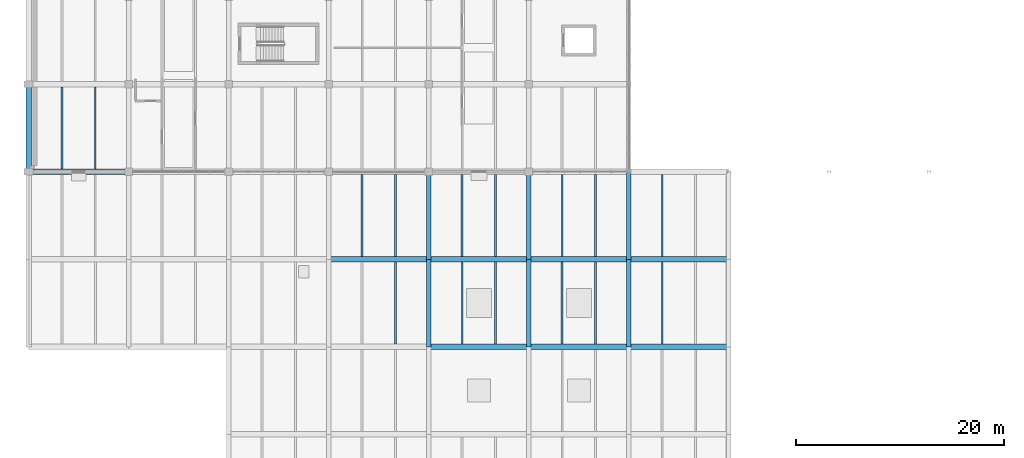
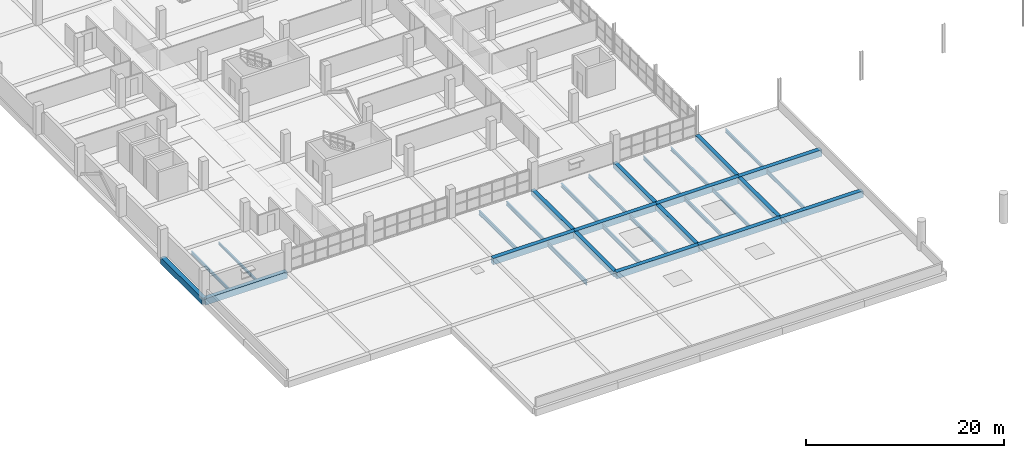
# One storey, part 21 of 147: 30 beams.
"""IFC4 building model written with IfcOpenShell, lengths in metres."""

from ifc_helpers import new_model, si_unit, direction, frame, origin, origin_2d, place, context, subcontext, project, spatial, rectangle, i_section, extrude, material, material_profile, profile_set, type_object, element, save


model = new_model("IFC4")

# Units and contexts
model_context = context("Model", 3, precision=1e-05, world=origin(), true_north=direction((0.0, 1.0)))
body_context = subcontext(model_context, "Body", "Model", "MODEL_VIEW")
ifc_project = project(units=[si_unit("LENGTHUNIT", "METRE"), si_unit("AREAUNIT", "SQUARE_METRE"), si_unit("VOLUMEUNIT", "CUBIC_METRE"), si_unit("PLANEANGLEUNIT", "RADIAN"), si_unit("MASSUNIT", "GRAM", prefix="KILO")], contexts=[model_context])

# Site, building, storey
site_placement = place(None, origin())
site = spatial("IfcSite", under=ifc_project, at=site_placement, CompositionType="ELEMENT")
building_placement = place(site_placement, origin())
building = spatial("IfcBuilding", under=site, at=building_placement, Name="Oolite Switchyard Hospital", CompositionType="ELEMENT")
storey_placement = place(building_placement, frame((0.0, 0.0, 9.89990234375)))
storey = spatial("IfcBuildingStorey", under=building, at=storey_placement, Name="L02", CompositionType="ELEMENT", Elevation=9.89990234375)

# Beams
ifc_material_1 = material(Name="Concrete C40/50", Category="concrete")
ifc_material_profile_1 = material_profile(ifc_material_1, rectangle(XDim=0.449951171875, YDim=0.64990234375, at=origin_2d()), Name="RCB450X650")
ifc_profile_set_1 = profile_set([ifc_material_profile_1], Name="Concrete C40/50")
beam_type_1 = type_object("IfcBeamType", Name="BM-RC450X650", PredefinedType="BEAM", material=ifc_profile_set_1)
beam_1_placement = place(storey_placement, frame((38.39990234375, 16.800048828125, -0.324951171875), z_axis=(0.0, 1.0, 0.0), x_axis=(-1.0, 0.0, 0.0)))
element("IfcBeam", 1, at=beam_1_placement, inside=storey, type_object=beam_type_1, Name="L02 Y-Girder 1310", PredefinedType="BEAM", context=body_context, shape_type="SweptSolid", body=[
    extrude(rectangle(XDim=0.449951171875, YDim=0.64990234375, at=origin_2d()), origin(), (0.0, 0.0, 1.0), 8.39990234375),
])
beam_2_placement = place(storey_placement, frame((38.39990234375, 25.199951171875, -0.324951171875), z_axis=(0.0, 1.0, 0.0), x_axis=(-1.0, 0.0, 0.0)))
element("IfcBeam", 2, at=beam_2_placement, inside=storey, type_object=beam_type_1, Name="L02 Y-Girder 1311", PredefinedType="BEAM", context=body_context, shape_type="SweptSolid", body=[
    extrude(rectangle(XDim=0.449951171875, YDim=0.64990234375, at=origin_2d()), origin(), (0.0, 0.0, 1.0), 8.400146484375),
])
beam_3_placement = place(storey_placement, frame((48.0, 16.800048828125, -0.324951171875), z_axis=(0.0, 1.0, 0.0), x_axis=(-1.0, 0.0, 0.0)))
element("IfcBeam", 3, at=beam_3_placement, inside=storey, type_object=beam_type_1, Name="L02 Y-Girder 1326", PredefinedType="BEAM", context=body_context, shape_type="SweptSolid", body=[
    extrude(rectangle(XDim=0.449951171875, YDim=0.64990234375, at=origin_2d()), origin(), (0.0, 0.0, 1.0), 8.39990234375),
])
beam_4_placement = place(storey_placement, frame((48.0, 25.199951171875, -0.324951171875), z_axis=(0.0, 1.0, 0.0), x_axis=(-1.0, 0.0, 0.0)))
element("IfcBeam", 4, at=beam_4_placement, inside=storey, type_object=beam_type_1, Name="L02 Y-Girder 1327", PredefinedType="BEAM", context=body_context, shape_type="SweptSolid", body=[
    extrude(rectangle(XDim=0.449951171875, YDim=0.64990234375, at=origin_2d()), origin(), (0.0, 0.0, 1.0), 8.400146484375),
])
beam_5_placement = place(storey_placement, frame((57.60009765625, 16.800048828125, -0.324951171875), z_axis=(0.0, 1.0, 0.0), x_axis=(-1.0, 0.0, 0.0)))
element("IfcBeam", 5, at=beam_5_placement, inside=storey, type_object=beam_type_1, Name="L02 Y-Girder 1342", PredefinedType="BEAM", context=body_context, shape_type="SweptSolid", body=[
    extrude(rectangle(XDim=0.449951171875, YDim=0.64990234375, at=origin_2d()), origin(), (0.0, 0.0, 1.0), 8.39990234375),
])
beam_6_placement = place(storey_placement, frame((57.60009765625, 25.199951171875, -0.324951171875), z_axis=(0.0, 1.0, 0.0), x_axis=(-1.0, 0.0, 0.0)))
element("IfcBeam", 6, at=beam_6_placement, inside=storey, type_object=beam_type_1, Name="L02 Y-Girder 1343", PredefinedType="BEAM", context=body_context, shape_type="SweptSolid", body=[
    extrude(rectangle(XDim=0.449951171875, YDim=0.64990234375, at=origin_2d()), origin(), (0.0, 0.0, 1.0), 8.400146484375),
])
ifc_material_profile_2 = material_profile(ifc_material_1, rectangle(XDim=0.5, YDim=0.800048828125, at=origin_2d()), Name="RCB500X800")
ifc_profile_set_2 = profile_set([ifc_material_profile_2], Name="Concrete C40/50")
beam_type_2 = type_object("IfcBeamType", Name="BM-RC500X800", PredefinedType="BEAM", material=ifc_profile_set_2)
for number, where, z_axis, x_axis, name in (
    (7, (38.39990234375, 16.800048828125, -0.39990234375), (1.0, 0.0, 0.0), (0.0, 1.0, 0.0), "L02 X-Girder 1008"),
    (8, (48.0, 16.800048828125, -0.39990234375), (1.0, 0.0, 0.0), (0.0, 1.0, 0.0), "L02 X-Girder 1009"),
):
    element("IfcBeam", number, at=place(storey_placement, frame(where, z_axis=z_axis, x_axis=x_axis)), inside=storey, type_object=beam_type_2, Name=name, PredefinedType="BEAM", context=body_context, shape_type="SweptSolid", body=[
        extrude(rectangle(XDim=0.5, YDim=0.800048828125, at=origin_2d()), origin(), (0.0, 0.0, 1.0), 9.60009765625),
    ])
for number, where, z_axis, x_axis, name in (
    (9, (57.60009765625, 16.800048828125, -0.39990234375), (1.0, 0.0, 0.0), (0.0, 1.0, 0.0), "L02 X-Girder 1010"),
    (10, (28.800048828125, 25.199951171875, -0.39990234375), (1.0, 0.0, 0.0), (0.0, 1.0, 0.0), "L02 X-Girder 1022"),
):
    element("IfcBeam", number, at=place(storey_placement, frame(where, z_axis=z_axis, x_axis=x_axis)), inside=storey, type_object=beam_type_2, Name=name, PredefinedType="BEAM", context=body_context, shape_type="SweptSolid", body=[
        extrude(rectangle(XDim=0.5, YDim=0.800048828125, at=origin_2d()), origin(), (0.0, 0.0, 1.0), 9.599853515625),
    ])
for number, where, z_axis, x_axis, name in (
    (11, (38.39990234375, 25.199951171875, -0.39990234375), (1.0, 0.0, 0.0), (0.0, 1.0, 0.0), "L02 X-Girder 1023"),
    (12, (48.0, 25.199951171875, -0.39990234375), (1.0, 0.0, 0.0), (0.0, 1.0, 0.0), "L02 X-Girder 1024"),
):
    element("IfcBeam", number, at=place(storey_placement, frame(where, z_axis=z_axis, x_axis=x_axis)), inside=storey, type_object=beam_type_2, Name=name, PredefinedType="BEAM", context=body_context, shape_type="SweptSolid", body=[
        extrude(rectangle(XDim=0.5, YDim=0.800048828125, at=origin_2d()), origin(), (0.0, 0.0, 1.0), 9.60009765625),
    ])
beam_7_placement = place(storey_placement, frame((57.60009765625, 25.199951171875, -0.39990234375), z_axis=(1.0, 0.0, 0.0), x_axis=(0.0, 1.0, 0.0)))
element("IfcBeam", 13, at=beam_7_placement, inside=storey, type_object=beam_type_2, Name="L02 X-Girder 1025", PredefinedType="BEAM", context=body_context, shape_type="SweptSolid", body=[
    extrude(rectangle(XDim=0.5, YDim=0.800048828125, at=origin_2d()), origin(), (0.0, 0.0, 1.0), 9.599853515625),
])
beam_8_placement = place(storey_placement, frame((0.0, 33.60009765625, -0.39990234375), z_axis=(1.0, 0.0, 0.0), x_axis=(0.0, 1.0, 0.0)))
element("IfcBeam", 14, at=beam_8_placement, inside=storey, type_object=beam_type_2, Name="L02 X-Girder 1034", PredefinedType="BEAM", context=body_context, shape_type="SweptSolid", body=[
    extrude(rectangle(XDim=0.5, YDim=0.800048828125, at=origin_2d()), origin(), (0.0, 0.0, 1.0), 9.60009765625),
])
beam_9_placement = place(storey_placement, frame((0.0, 33.60009765625, -0.39990234375), z_axis=(0.0, 1.0, 0.0), x_axis=(-1.0, 0.0, 0.0)))
element("IfcBeam", 15, at=beam_9_placement, inside=storey, type_object=beam_type_2, Name="L02 Y-Girder 1252", PredefinedType="BEAM", context=body_context, shape_type="SweptSolid", body=[
    extrude(rectangle(XDim=0.5, YDim=0.800048828125, at=origin_2d()), origin(), (0.0, 0.0, 1.0), 8.39990234375),
])
ifc_material_2 = material(Name="Steel ASTM A992 Grade 50", Category="steel")
ifc_material_profile_3 = material_profile(ifc_material_2, i_section(OverallWidth=0.1650390625, OverallDepth=0.31005859375, WebThickness=0.006103515625, FlangeThickness=0.010009765625, at=origin_2d()), Name="W12X26")
ifc_profile_set_3 = profile_set([ifc_material_profile_3], Name="Steel ASTM A992 Grade 50")
beam_type_3 = type_object("IfcBeamType", Name="BM-W12X26", PredefinedType="JOIST", material=ifc_profile_set_3)
beam_10_placement = place(storey_placement, frame((6.39990234375, 33.85009765625, -0.414794921875), z_axis=(0.0, 1.0, 0.0), x_axis=(-1.0, 0.0, 0.0)))
element("IfcBeam", 16, at=beam_10_placement, inside=storey, type_object=beam_type_3, Name="L02 Secondary Steel Joist 1517", PredefinedType="JOIST", context=body_context, shape_type="SweptSolid", body=[
    extrude(i_section(OverallWidth=0.1650390625, OverallDepth=0.31005859375, WebThickness=0.006103515625, FlangeThickness=0.010009765625, at=origin_2d()), origin(), (0.0, 0.0, 1.0), 7.89990234375),
])
ifc_material_profile_4 = material_profile(ifc_material_2, i_section(OverallWidth=0.1708984375, OverallDepth=0.35107421875, WebThickness=0.007080078125, FlangeThickness=0.010009765625, at=origin_2d()), Name="W14X30")
ifc_profile_set_4 = profile_set([ifc_material_profile_4], Name="Steel ASTM A992 Grade 50")
beam_type_4 = type_object("IfcBeamType", Name="BM-W14X30", PredefinedType="JOIST", material=ifc_profile_set_4)
beam_11_placement = place(storey_placement, frame((3.199951171875, 33.85009765625, -0.434814453125), z_axis=(0.0, 1.0, 0.0), x_axis=(-1.0, 0.0, 0.0)))
element("IfcBeam", 17, at=beam_11_placement, inside=storey, type_object=beam_type_4, Name="L02 Secondary Steel Joist 1516", PredefinedType="JOIST", context=body_context, shape_type="SweptSolid", body=[
    extrude(i_section(OverallWidth=0.1708984375, OverallDepth=0.35107421875, WebThickness=0.007080078125, FlangeThickness=0.010009765625, at=origin_2d()), origin(), (0.0, 0.0, 1.0), 7.89990234375),
])
ifc_material_profile_5 = material_profile(ifc_material_2, i_section(OverallWidth=0.179931640625, OverallDepth=0.4130859375, WebThickness=0.010009765625, FlangeThickness=0.01611328125, at=origin_2d()), Name="W16X50")
ifc_profile_set_5 = profile_set([ifc_material_profile_5], Name="Steel ASTM A992 Grade 50")
beam_type_5 = type_object("IfcBeamType", Name="BM-W16X50", PredefinedType="JOIST", material=ifc_profile_set_5)
for number, where, z_axis, x_axis, name in (
    (18, (54.39990234375, 25.449951171875, -0.42578125), (0.0, 1.0, 0.0), (-1.0, 0.0, 0.0), "L02 Secondary Steel Joist 1659"),
    (19, (60.800048828125, 25.449951171875, -0.42578125), (0.0, 1.0, 0.0), (-1.0, 0.0, 0.0), "L02 Secondary Steel Joist 1686"),
):
    element("IfcBeam", number, at=place(storey_placement, frame(where, z_axis=z_axis, x_axis=x_axis)), inside=storey, type_object=beam_type_5, Name=name, PredefinedType="JOIST", context=body_context, shape_type="SweptSolid", body=[
        extrude(i_section(OverallWidth=0.179931640625, OverallDepth=0.4130859375, WebThickness=0.010009765625, FlangeThickness=0.01611328125, at=origin_2d()), origin(), (0.0, 0.0, 1.0), 7.900146484375),
    ])
ifc_material_profile_6 = material_profile(ifc_material_2, i_section(OverallWidth=0.153076171875, OverallDepth=0.455078125, WebThickness=0.008056640625, FlangeThickness=0.012939453125, at=origin_2d()), Name="W18X40")
ifc_profile_set_6 = profile_set([ifc_material_profile_6], Name="Steel ASTM A992 Grade 50")
beam_type_6 = type_object("IfcBeamType", Name="BM-W18X40", PredefinedType="JOIST", material=ifc_profile_set_6)
beam_12_placement = place(storey_placement, frame((44.800048828125, 25.449951171875, -0.447998046875), z_axis=(0.0, 1.0, 0.0), x_axis=(-1.0, 0.0, 0.0)))
element("IfcBeam", 20, at=beam_12_placement, inside=storey, type_object=beam_type_6, Name="L02 Secondary Steel Joist 1629", PredefinedType="JOIST", context=body_context, shape_type="SweptSolid", body=[
    extrude(i_section(OverallWidth=0.153076171875, OverallDepth=0.455078125, WebThickness=0.008056640625, FlangeThickness=0.012939453125, at=origin_2d()), origin(), (0.0, 0.0, 1.0), 7.900146484375),
])
beam_13_placement = place(storey_placement, frame((54.39990234375, 17.050048828125, -0.447998046875), z_axis=(0.0, 1.0, 0.0), x_axis=(-1.0, 0.0, 0.0)))
element("IfcBeam", 21, at=beam_13_placement, inside=storey, type_object=beam_type_6, Name="L02 Secondary Steel Joist 1657", PredefinedType="JOIST", context=body_context, shape_type="SweptSolid", body=[
    extrude(i_section(OverallWidth=0.153076171875, OverallDepth=0.455078125, WebThickness=0.008056640625, FlangeThickness=0.012939453125, at=origin_2d()), origin(), (0.0, 0.0, 1.0), 7.89990234375),
])
beam_14_placement = place(storey_placement, frame((51.199951171875, 25.449951171875, -0.447998046875), z_axis=(0.0, 1.0, 0.0), x_axis=(-1.0, 0.0, 0.0)))
element("IfcBeam", 22, at=beam_14_placement, inside=storey, type_object=beam_type_6, Name="L02 Secondary Steel Joist 1658", PredefinedType="JOIST", context=body_context, shape_type="SweptSolid", body=[
    extrude(i_section(OverallWidth=0.153076171875, OverallDepth=0.455078125, WebThickness=0.008056640625, FlangeThickness=0.012939453125, at=origin_2d()), origin(), (0.0, 0.0, 1.0), 7.900146484375),
])
beam_15_placement = place(storey_placement, frame((60.800048828125, 17.050048828125, -0.447998046875), z_axis=(0.0, 1.0, 0.0), x_axis=(-1.0, 0.0, 0.0)))
element("IfcBeam", 23, at=beam_15_placement, inside=storey, type_object=beam_type_6, Name="L02 Secondary Steel Joist 1684", PredefinedType="JOIST", context=body_context, shape_type="SweptSolid", body=[
    extrude(i_section(OverallWidth=0.153076171875, OverallDepth=0.455078125, WebThickness=0.008056640625, FlangeThickness=0.012939453125, at=origin_2d()), origin(), (0.0, 0.0, 1.0), 7.89990234375),
])
ifc_material_profile_7 = material_profile(ifc_material_2, i_section(OverallWidth=0.19091796875, OverallDepth=0.4599609375, WebThickness=0.010009765625, FlangeThickness=0.01611328125, at=origin_2d()), Name="W18X55")
ifc_profile_set_7 = profile_set([ifc_material_profile_7], Name="Steel ASTM A992 Grade 50")
beam_type_7 = type_object("IfcBeamType", Name="BM-W18X55", PredefinedType="JOIST", material=ifc_profile_set_7)
beam_16_placement = place(storey_placement, frame((35.199951171875, 25.449951171875, -0.449951171875), z_axis=(0.0, 1.0, 0.0), x_axis=(-1.0, 0.0, 0.0)))
element("IfcBeam", 24, at=beam_16_placement, inside=storey, type_object=beam_type_7, Name="L02 Secondary Steel Joist 1599", PredefinedType="JOIST", context=body_context, shape_type="SweptSolid", body=[
    extrude(i_section(OverallWidth=0.19091796875, OverallDepth=0.4599609375, WebThickness=0.010009765625, FlangeThickness=0.01611328125, at=origin_2d()), origin(), (0.0, 0.0, 1.0), 7.900146484375),
])
beam_17_placement = place(storey_placement, frame((44.800048828125, 17.050048828125, -0.449951171875), z_axis=(0.0, 1.0, 0.0), x_axis=(-1.0, 0.0, 0.0)))
element("IfcBeam", 25, at=beam_17_placement, inside=storey, type_object=beam_type_7, Name="L02 Secondary Steel Joist 1627", PredefinedType="JOIST", context=body_context, shape_type="SweptSolid", body=[
    extrude(i_section(OverallWidth=0.19091796875, OverallDepth=0.4599609375, WebThickness=0.010009765625, FlangeThickness=0.01611328125, at=origin_2d()), origin(), (0.0, 0.0, 1.0), 7.89990234375),
])
beam_18_placement = place(storey_placement, frame((41.60009765625, 25.449951171875, -0.449951171875), z_axis=(0.0, 1.0, 0.0), x_axis=(-1.0, 0.0, 0.0)))
element("IfcBeam", 26, at=beam_18_placement, inside=storey, type_object=beam_type_7, Name="L02 Secondary Steel Joist 1628", PredefinedType="JOIST", context=body_context, shape_type="SweptSolid", body=[
    extrude(i_section(OverallWidth=0.19091796875, OverallDepth=0.4599609375, WebThickness=0.010009765625, FlangeThickness=0.01611328125, at=origin_2d()), origin(), (0.0, 0.0, 1.0), 7.900146484375),
])
beam_19_placement = place(storey_placement, frame((51.199951171875, 17.050048828125, -0.449951171875), z_axis=(0.0, 1.0, 0.0), x_axis=(-1.0, 0.0, 0.0)))
element("IfcBeam", 27, at=beam_19_placement, inside=storey, type_object=beam_type_7, Name="L02 Secondary Steel Joist 1656", PredefinedType="JOIST", context=body_context, shape_type="SweptSolid", body=[
    extrude(i_section(OverallWidth=0.19091796875, OverallDepth=0.4599609375, WebThickness=0.010009765625, FlangeThickness=0.01611328125, at=origin_2d()), origin(), (0.0, 0.0, 1.0), 7.89990234375),
])
ifc_material_profile_8 = material_profile(ifc_material_2, i_section(OverallWidth=0.166015625, OverallDepth=0.529052734375, WebThickness=0.010009765625, FlangeThickness=0.013916015625, at=origin_2d()), Name="W21X50")
ifc_profile_set_8 = profile_set([ifc_material_profile_8], Name="Steel ASTM A992 Grade 50")
beam_type_8 = type_object("IfcBeamType", Name="BM-W21X50", PredefinedType="JOIST", material=ifc_profile_set_8)
beam_20_placement = place(storey_placement, frame((35.199951171875, 17.050048828125, -0.48388671875), z_axis=(0.0, 1.0, 0.0), x_axis=(-1.0, 0.0, 0.0)))
element("IfcBeam", 28, at=beam_20_placement, inside=storey, type_object=beam_type_8, Name="L02 Secondary Steel Joist 1597", PredefinedType="JOIST", context=body_context, shape_type="SweptSolid", body=[
    extrude(i_section(OverallWidth=0.166015625, OverallDepth=0.529052734375, WebThickness=0.010009765625, FlangeThickness=0.013916015625, at=origin_2d()), origin(), (0.0, 0.0, 1.0), 7.89990234375),
])
beam_21_placement = place(storey_placement, frame((32.0, 25.449951171875, -0.48388671875), z_axis=(0.0, 1.0, 0.0), x_axis=(-1.0, 0.0, 0.0)))
element("IfcBeam", 29, at=beam_21_placement, inside=storey, type_object=beam_type_8, Name="L02 Secondary Steel Joist 1598", PredefinedType="JOIST", context=body_context, shape_type="SweptSolid", body=[
    extrude(i_section(OverallWidth=0.166015625, OverallDepth=0.529052734375, WebThickness=0.010009765625, FlangeThickness=0.013916015625, at=origin_2d()), origin(), (0.0, 0.0, 1.0), 7.900146484375),
])
beam_22_placement = place(storey_placement, frame((41.60009765625, 17.050048828125, -0.48388671875), z_axis=(0.0, 1.0, 0.0), x_axis=(-1.0, 0.0, 0.0)))
element("IfcBeam", 30, at=beam_22_placement, inside=storey, type_object=beam_type_8, Name="L02 Secondary Steel Joist 1626", PredefinedType="JOIST", context=body_context, shape_type="SweptSolid", body=[
    extrude(i_section(OverallWidth=0.166015625, OverallDepth=0.529052734375, WebThickness=0.010009765625, FlangeThickness=0.013916015625, at=origin_2d()), origin(), (0.0, 0.0, 1.0), 7.89990234375),
])

save(model, "model.ifc")
